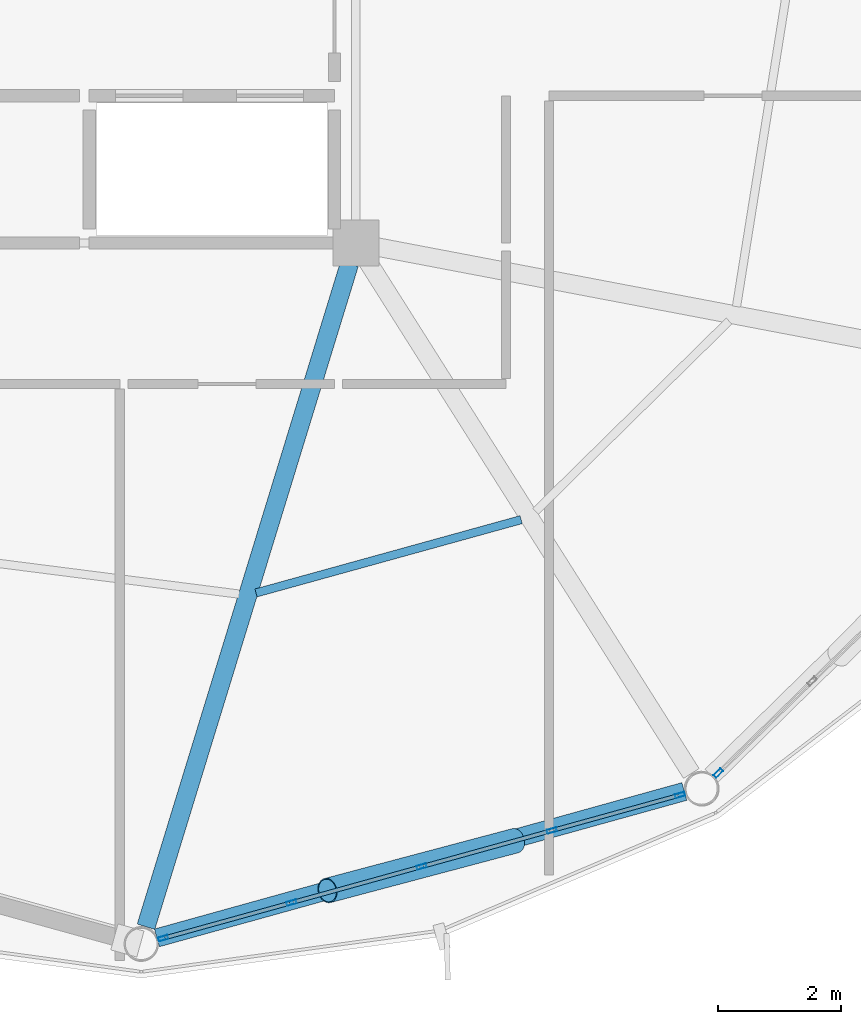
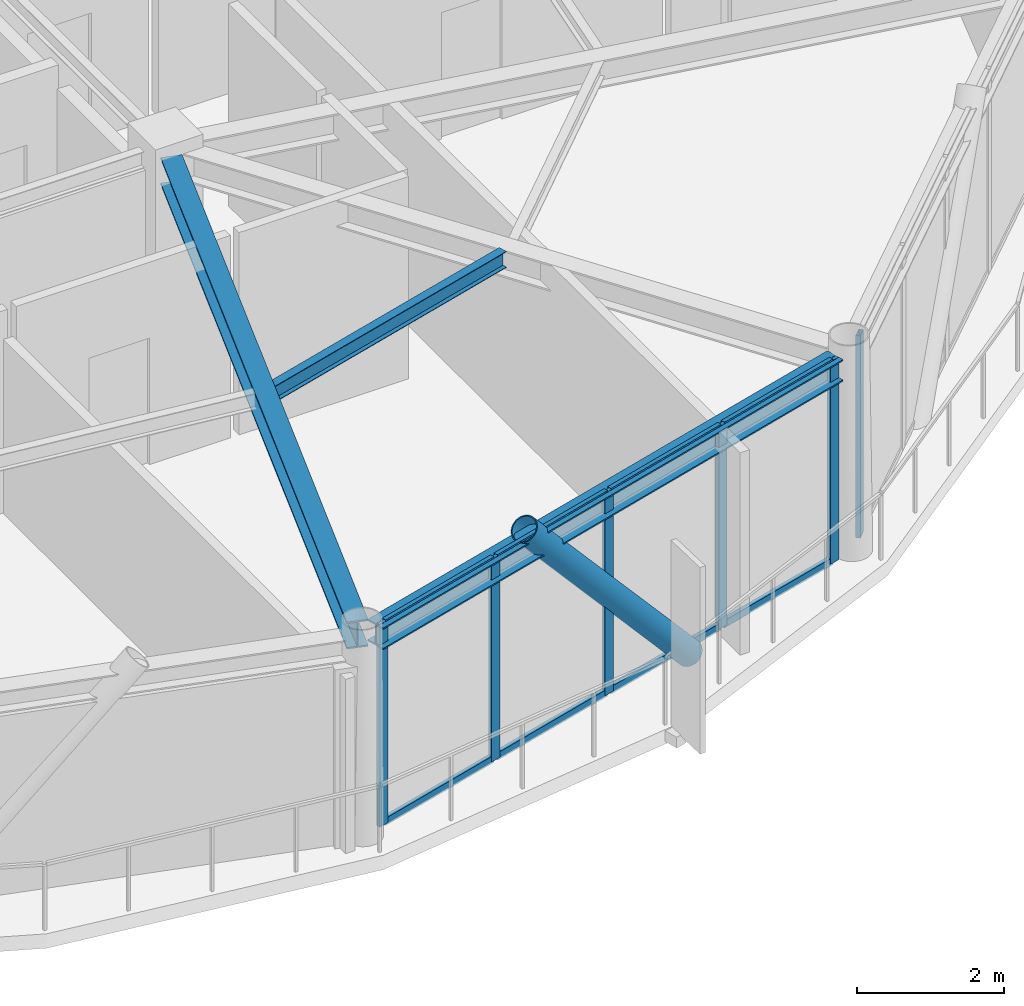
# One storey, part 6 of 25: 15 members, 3 beams, 2 elements without a shape of their own.
"""IFC4 building model written with IfcOpenShell, lengths in metres."""

from ifc_helpers import new_model, si_unit, direction, frame, origin, origin_2d, place, context, subcontext, project, spatial, hollow_rectangle, hollow_circle, i_section, extrude, material, layer, layer_set, material_profile, profile_set, type_object, element, aggregate, save


model = new_model("IFC4")

# Units and contexts
model_context = context("Model", 3, precision=1e-05, world=origin(), true_north=direction((0.0, 1.0)))
body_context = subcontext(model_context, "Body", "Model", "MODEL_VIEW")
ifc_project = project(units=[si_unit("LENGTHUNIT", "METRE"), si_unit("AREAUNIT", "SQUARE_METRE"), si_unit("VOLUMEUNIT", "CUBIC_METRE"), si_unit("PLANEANGLEUNIT", "RADIAN"), si_unit("MASSUNIT", "GRAM", prefix="KILO")], contexts=[model_context])

# Site, building, storey
site_placement = place(None, origin())
site = spatial("IfcSite", under=ifc_project, at=site_placement, CompositionType="ELEMENT")
building_placement = place(site_placement, origin())
building = spatial("IfcBuilding", under=site, at=building_placement, Name="Varnakorn Sky Granary", CompositionType="ELEMENT")
storey_placement = place(building_placement, frame((0.0, 0.0, 252.60009765625)))
storey = spatial("IfcBuildingStorey", under=building, at=storey_placement, Name="L64", CompositionType="ELEMENT", Elevation=252.60009765625)

# Beams
ifc_material_1 = material(Name="Steel S355JR", Category="steel")
ifc_material_profile_1 = material_profile(ifc_material_1, i_section(OverallWidth=0.300048828125, OverallDepth=0.449951171875, WebThickness=0.013916015625, FlangeThickness=0.02587890625, at=origin_2d()), Name="HE 450 B")
ifc_profile_set_1 = profile_set([ifc_material_profile_1], Name="Steel S355JR")
beam_type_1 = type_object("IfcBeamType", Name="BM-RAD-Z5", PredefinedType="BEAM", material=ifc_profile_set_1)
beam_1_placement = place(storey_placement, frame((8.245849609375, -6.939453125, 3.135009765625), z_axis=(-0.293388038713, -0.955993440741, 0.0), x_axis=(0.955993440741, -0.293388038713, 0.0)))
element("IfcBeam", 1, at=beam_1_placement, inside=storey, type_object=beam_type_1, Name="Radial Floor Girder RG10 L64", PredefinedType="BEAM", context=body_context, shape_type="SweptSolid", body=[
    extrude(i_section(OverallWidth=0.300048828125, OverallDepth=0.449951171875, WebThickness=0.013916015625, FlangeThickness=0.02587890625, at=origin_2d()), origin(), (0.0, 0.0, 1.0), 11.310546875),
])
ifc_material_profile_2 = material_profile(ifc_material_1, i_section(OverallWidth=0.135009765625, OverallDepth=0.27001953125, WebThickness=0.006591796875, FlangeThickness=0.01025390625, at=origin_2d()), Name="IPE 270")
ifc_profile_set_2 = profile_set([ifc_material_profile_2], Name="Steel S355JR")
beam_type_2 = type_object("IfcBeamType", Name="BM-SEC-Z5", PredefinedType="BEAM", material=ifc_profile_set_2)
beam_2_placement = place(storey_placement, frame((6.7216796875, -12.30859375, 3.224853515625), z_axis=(0.963846219622, 0.266459124295, 0.0), x_axis=(-0.266459124295, 0.963846219622, 0.0)))
element("IfcBeam", 2, at=beam_2_placement, inside=storey, type_object=beam_type_2, Name="Secondary Floor Chord Beam MSB10 L64", PredefinedType="BEAM", context=body_context, shape_type="SweptSolid", body=[
    extrude(i_section(OverallWidth=0.135009765625, OverallDepth=0.27001953125, WebThickness=0.006591796875, FlangeThickness=0.01025390625, at=origin_2d()), origin(), (0.0, 0.0, 1.0), 4.48583984375),
])
ifc_material_profile_3 = material_profile(ifc_material_1, i_section(OverallWidth=0.300048828125, OverallDepth=0.360107421875, WebThickness=0.012451171875, FlangeThickness=0.0224609375, at=origin_2d()), Name="HE 360 B")
ifc_profile_set_3 = profile_set([ifc_material_profile_3], Name="Steel S355JR")
beam_type_3 = type_object("IfcBeamType", Name="BM-SPD-Z5", PredefinedType="SPANDREL", material=ifc_profile_set_3)
beam_3_placement = place(storey_placement, frame((5.10498046875, -17.934326171875, 3.179931640625), z_axis=(0.963572738625, 0.267446400946, 0.0), x_axis=(-0.267446400946, 0.963572738625, 0.0)))
element("IfcBeam", 3, at=beam_3_placement, inside=storey, type_object=beam_type_3, Name="Perimeter Spandrel Ring Beam RB10 L64", PredefinedType="SPANDREL", context=body_context, shape_type="SweptSolid", body=[
    extrude(i_section(OverallWidth=0.300048828125, OverallDepth=0.360107421875, WebThickness=0.012451171875, FlangeThickness=0.0224609375, at=origin_2d()), origin(), (0.0, 0.0, 1.0), 8.927734375),
])

# Curtain wall, members
ifc_material_2 = material(Name="Anodised Bronze Aluminium Alloy 6063-T6", Category="aluminium")
ifc_layer = layer(ifc_material_2, 0.159912109375, Name="Anodised Bronze Aluminium Alloy 6063-T6")
ifc_layer_set = layer_set([ifc_layer], Name="Anodised Bronze Aluminium Alloy 6063-T6")
curtain_wall_type = type_object("IfcCurtainWallType", Name="CW-OFF-1", PredefinedType="USERDEFINED", material=ifc_layer_set)
curtain_wall_1_placement = place(storey_placement, origin())
curtain_wall_1 = element("IfcCurtainWall", 4, at=curtain_wall_1_placement, inside=storey, type_object=curtain_wall_type, Name="Unitised Curtain Wall CW6 CW-L64-B10", ObjectType="CURTAIN WALL", PredefinedType="USERDEFINED")
ifc_material_profile_4 = material_profile(ifc_material_2, hollow_rectangle(XDim=0.06494140625, YDim=0.159912109375, WallThickness=0.00341796875, at=origin_2d()), Name="ALU MULL 65x160")
ifc_profile_set_4 = profile_set([ifc_material_profile_4], Name="Anodised Bronze Aluminium Alloy 6063-T6")
member_type_1 = type_object("IfcMemberType", Name="CW-OFF-1-MULL", PredefinedType="MULLION", material=ifc_profile_set_4)
member_1_placement = place(storey_placement, frame((13.637451171875, -15.6044921875, 0.0), z_axis=(0.0, 0.0, 1.0), x_axis=(0.266982378942, -0.963701410881, 0.0)))
member_1 = element("IfcMember", 5, at=member_1_placement, type_object=member_type_1, Name="CW6 mullion 1", PredefinedType="MULLION", context=body_context, shape_type="SweptSolid", body=[
    extrude(hollow_rectangle(XDim=0.06494140625, YDim=0.159912109375, WallThickness=0.00341796875, at=origin_2d()), origin(), (0.0, 0.0, 1.0), 3.35986328125),
])
member_2_placement = place(storey_placement, frame((11.5458984375, -16.18408203125, 0.0), z_axis=(0.0, 0.0, 1.0), x_axis=(0.266982378942, -0.963701410881, 0.0)))
member_2 = element("IfcMember", 6, at=member_2_placement, type_object=member_type_1, Name="CW6 mullion 2", PredefinedType="MULLION", context=body_context, shape_type="SweptSolid", body=[
    extrude(hollow_rectangle(XDim=0.06494140625, YDim=0.159912109375, WallThickness=0.00341796875, at=origin_2d()), origin(), (0.0, 0.0, 1.0), 3.35986328125),
])
member_3_placement = place(storey_placement, frame((9.423095703125, -16.772216796875, 0.0), z_axis=(0.0, 0.0, 1.0), x_axis=(0.266982378942, -0.963701410881, 0.0)))
member_3 = element("IfcMember", 7, at=member_3_placement, type_object=member_type_1, Name="CW6 mullion 3", PredefinedType="MULLION", context=body_context, shape_type="SweptSolid", body=[
    extrude(hollow_rectangle(XDim=0.06494140625, YDim=0.159912109375, WallThickness=0.00341796875, at=origin_2d()), origin(), (0.0, 0.0, 1.0), 3.35986328125),
])
member_4_placement = place(storey_placement, frame((7.300048828125, -17.3603515625, 0.0), z_axis=(0.0, 0.0, 1.0), x_axis=(0.266982378942, -0.963701410881, 0.0)))
member_4 = element("IfcMember", 8, at=member_4_placement, type_object=member_type_1, Name="CW6 mullion 4", PredefinedType="MULLION", context=body_context, shape_type="SweptSolid", body=[
    extrude(hollow_rectangle(XDim=0.06494140625, YDim=0.159912109375, WallThickness=0.00341796875, at=origin_2d()), origin(), (0.0, 0.0, 1.0), 3.35986328125),
])
member_5_placement = place(storey_placement, frame((5.20849609375, -17.939697265625, 0.0), z_axis=(0.0, 0.0, 1.0), x_axis=(0.266982378942, -0.963701410881, 0.0)))
member_5 = element("IfcMember", 9, at=member_5_placement, type_object=member_type_1, Name="CW6 mullion 5", PredefinedType="MULLION", context=body_context, shape_type="SweptSolid", body=[
    extrude(hollow_rectangle(XDim=0.06494140625, YDim=0.159912109375, WallThickness=0.00341796875, at=origin_2d()), origin(), (0.0, 0.0, 1.0), 3.35986328125),
])

# Curtain wall, member
curtain_wall_2_placement = place(storey_placement, origin())
curtain_wall_2 = element("IfcCurtainWall", 10, at=curtain_wall_2_placement, inside=storey, type_object=curtain_wall_type, Name="Unitised Curtain Wall CW6 CW-L64-B11", ObjectType="CURTAIN WALL", PredefinedType="USERDEFINED")
member_6_placement = place(storey_placement, frame((14.26171875, -15.2451171875, 0.0), z_axis=(0.0, 0.0, 1.0), x_axis=(0.699482431072, -0.71464979439, 0.0)))
member_6 = element("IfcMember", 11, at=member_6_placement, type_object=member_type_1, Name="CW6 mullion 5", PredefinedType="MULLION", context=body_context, shape_type="SweptSolid", body=[
    extrude(hollow_rectangle(XDim=0.06494140625, YDim=0.159912109375, WallThickness=0.00341796875, at=origin_2d()), origin(), (0.0, 0.0, 1.0), 3.35986328125),
])
aggregate(curtain_wall_2, [member_6])

# Member
ifc_material_profile_5 = material_profile(ifc_material_2, hollow_rectangle(XDim=0.06494140625, YDim=0.1201171875, WallThickness=0.00341796875, at=origin_2d()), Name="ALU TRAN 65x120")
ifc_profile_set_5 = profile_set([ifc_material_profile_5], Name="Anodised Bronze Aluminium Alloy 6063-T6")
member_type_2 = type_object("IfcMemberType", Name="CW-OFF-1-TRAN", PredefinedType="USERDEFINED", material=ifc_profile_set_5)
member_7_placement = place(storey_placement, frame((13.606201171875, -15.61328125, 0.032470703125), z_axis=(-0.96371533785, -0.266932102964, 0.0), x_axis=(0.266932102964, -0.96371533785, 0.0)))
member_7 = element("IfcMember", 12, at=member_7_placement, type_object=member_type_2, Name="CW6 transom 1.1", ObjectType="TRANSOM", PredefinedType="USERDEFINED", context=body_context, shape_type="SweptSolid", body=[
    extrude(hollow_rectangle(XDim=0.06494140625, YDim=0.1201171875, WallThickness=0.00341796875, at=origin_2d()), origin(), (0.0, 0.0, 1.0), 2.10546875),
])

member_8_placement = place(storey_placement, frame((13.606201171875, -15.61328125, 3.327392578125), z_axis=(-0.96371533785, -0.266932102964, 0.0), x_axis=(0.266932102964, -0.96371533785, 0.0)))
member_8 = element("IfcMember", 13, at=member_8_placement, type_object=member_type_2, Name="CW6 transom 1.2", ObjectType="TRANSOM", PredefinedType="USERDEFINED", context=body_context, shape_type="SweptSolid", body=[
    extrude(hollow_rectangle(XDim=0.06494140625, YDim=0.1201171875, WallThickness=0.00341796875, at=origin_2d()), origin(), (0.0, 0.0, 1.0), 2.10546875),
])

member_9_placement = place(storey_placement, frame((11.5146484375, -16.192626953125, 0.032470703125), z_axis=(-0.963699288782, -0.266990038769, 0.0), x_axis=(0.266990038769, -0.963699288782, 0.0)))
member_9 = element("IfcMember", 14, at=member_9_placement, type_object=member_type_2, Name="CW6 transom 2.1", ObjectType="TRANSOM", PredefinedType="USERDEFINED", context=body_context, shape_type="SweptSolid", body=[
    extrude(hollow_rectangle(XDim=0.06494140625, YDim=0.1201171875, WallThickness=0.00341796875, at=origin_2d()), origin(), (0.0, 0.0, 1.0), 2.137939453125),
])

member_10_placement = place(storey_placement, frame((11.5146484375, -16.192626953125, 3.327392578125), z_axis=(-0.963699288782, -0.266990038769, 0.0), x_axis=(0.266990038769, -0.963699288782, 0.0)))
member_10 = element("IfcMember", 15, at=member_10_placement, type_object=member_type_2, Name="CW6 transom 2.2", ObjectType="TRANSOM", PredefinedType="USERDEFINED", context=body_context, shape_type="SweptSolid", body=[
    extrude(hollow_rectangle(XDim=0.06494140625, YDim=0.1201171875, WallThickness=0.00341796875, at=origin_2d()), origin(), (0.0, 0.0, 1.0), 2.137939453125),
])

member_11_placement = place(storey_placement, frame((9.3916015625, -16.78076171875, 0.032470703125), z_axis=(-0.963699288782, -0.266990038769, 0.0), x_axis=(0.266990038769, -0.963699288782, 0.0)))
member_11 = element("IfcMember", 16, at=member_11_placement, type_object=member_type_2, Name="CW6 transom 3.1", ObjectType="TRANSOM", PredefinedType="USERDEFINED", context=body_context, shape_type="SweptSolid", body=[
    extrude(hollow_rectangle(XDim=0.06494140625, YDim=0.1201171875, WallThickness=0.00341796875, at=origin_2d()), origin(), (0.0, 0.0, 1.0), 2.137939453125),
])

member_12_placement = place(storey_placement, frame((9.3916015625, -16.78076171875, 3.327392578125), z_axis=(-0.963699288782, -0.266990038769, 0.0), x_axis=(0.266990038769, -0.963699288782, 0.0)))
member_12 = element("IfcMember", 17, at=member_12_placement, type_object=member_type_2, Name="CW6 transom 3.2", ObjectType="TRANSOM", PredefinedType="USERDEFINED", context=body_context, shape_type="SweptSolid", body=[
    extrude(hollow_rectangle(XDim=0.06494140625, YDim=0.1201171875, WallThickness=0.00341796875, at=origin_2d()), origin(), (0.0, 0.0, 1.0), 2.137939453125),
])

member_13_placement = place(storey_placement, frame((7.268798828125, -17.368896484375, 0.032470703125), z_axis=(-0.963685503319, -0.267039792341, 0.0), x_axis=(0.267039792341, -0.963685503319, 0.0)))
member_13 = element("IfcMember", 18, at=member_13_placement, type_object=member_type_2, Name="CW6 transom 4.1", ObjectType="TRANSOM", PredefinedType="USERDEFINED", context=body_context, shape_type="SweptSolid", body=[
    extrude(hollow_rectangle(XDim=0.06494140625, YDim=0.1201171875, WallThickness=0.00341796875, at=origin_2d()), origin(), (0.0, 0.0, 1.0), 2.10546875),
])

member_14_placement = place(storey_placement, frame((7.268798828125, -17.368896484375, 3.327392578125), z_axis=(-0.963685503319, -0.267039792341, 0.0), x_axis=(0.267039792341, -0.963685503319, 0.0)))
member_14 = element("IfcMember", 19, at=member_14_placement, type_object=member_type_2, Name="CW6 transom 4.2", ObjectType="TRANSOM", PredefinedType="USERDEFINED", context=body_context, shape_type="SweptSolid", body=[
    extrude(hollow_rectangle(XDim=0.06494140625, YDim=0.1201171875, WallThickness=0.00341796875, at=origin_2d()), origin(), (0.0, 0.0, 1.0), 2.10546875),
])

aggregate(curtain_wall_1, [member_1, member_2, member_3, member_4, member_5, member_7, member_8, member_9, member_10, member_11, member_12, member_13, member_14])

ifc_material_3 = material(Name="Steel S460M", Category="steel")
ifc_material_profile_6 = material_profile(ifc_material_3, hollow_circle(Radius=0.203125, WallThickness=0.01611328125, at=origin_2d()), Name="CHS 406.4x16")
ifc_profile_set_6 = profile_set([ifc_material_profile_6], Name="Steel S460M")
member_type_3 = type_object("IfcMemberType", Name="MB-DIAG-T4", PredefinedType="BRACE", material=ifc_profile_set_6)
member_15_placement = place(storey_placement, frame((10.947265625, -16.349853515625, -0.130126953125), z_axis=(-0.636254702082, -0.168899656413, 0.752763482205), x_axis=(0.256572909376, -0.966524879232, 0.0)))
element("IfcMember", 20, at=member_15_placement, inside=storey, type_object=member_type_3, Name="Perimeter CHS Diagrid Brace DG10 L64", PredefinedType="BRACE", context=body_context, shape_type="SweptSolid", body=[
    extrude(hollow_circle(Radius=0.203125, WallThickness=0.01611328125, at=origin_2d()), origin(), (0.0, 0.0, 1.0), 4.80908203125),
])

save(model, "model.ifc")
